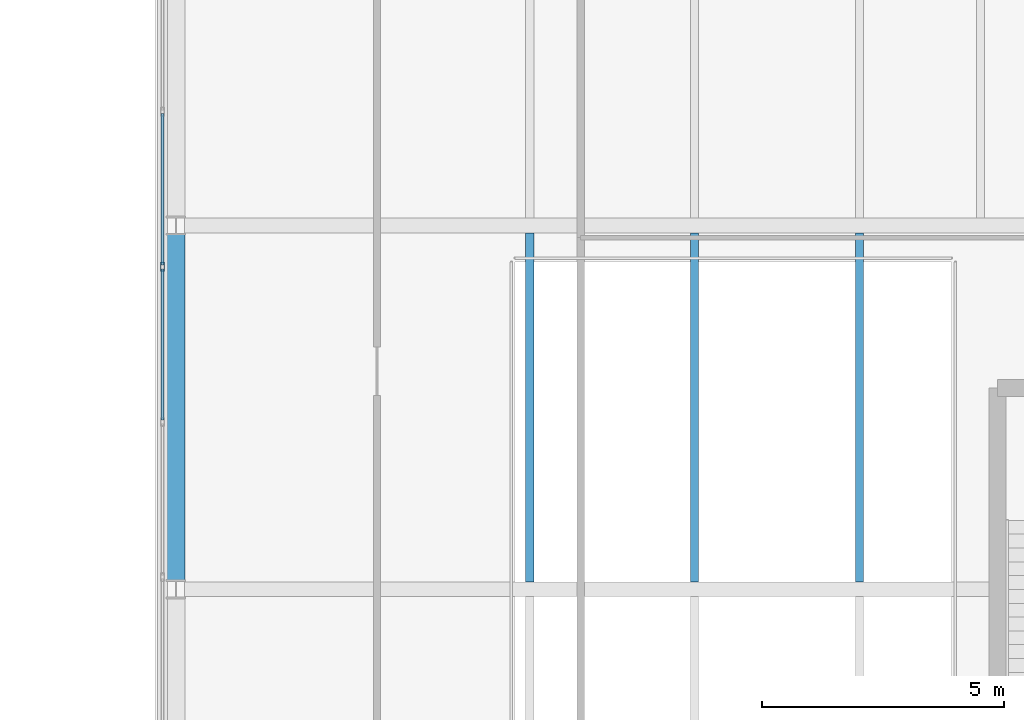
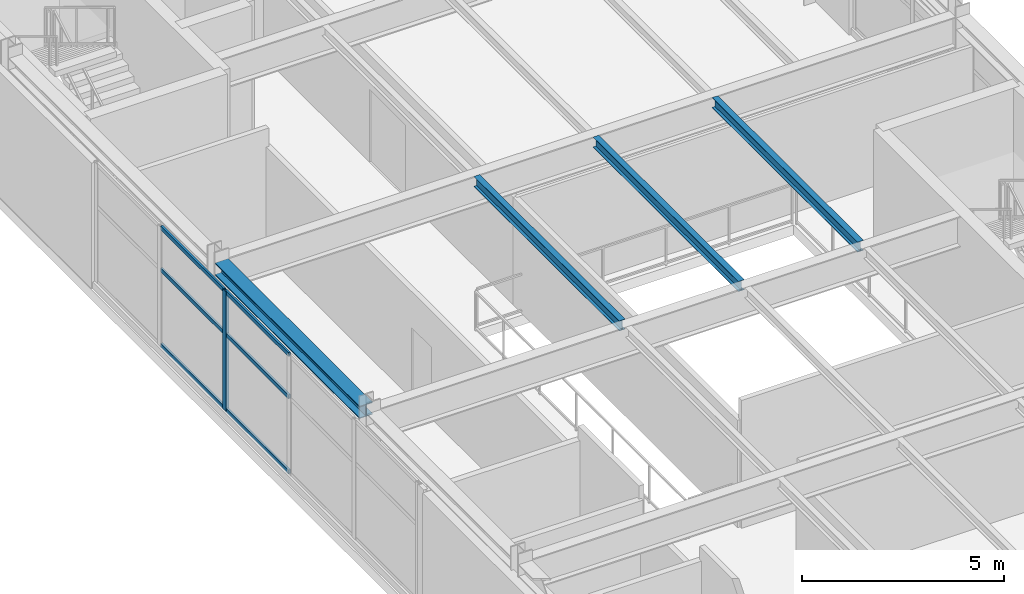
# One storey, part 5 of 16: 7 members, 4 beams, 1 element without a shape of its own.
"""IFC4 building model written with IfcOpenShell, lengths in metres."""

from ifc_helpers import new_model, si_unit, direction, frame, origin, origin_2d, place, context, subcontext, project, spatial, hollow_rectangle, i_section, extrude, material, layer, layer_set, material_profile, profile_set, type_object, element, aggregate, save


model = new_model("IFC4")

# Units and contexts
model_context = context("Model", 3, precision=1e-05, world=origin(), true_north=direction((0.0, 1.0)))
body_context = subcontext(model_context, "Body", "Model", "MODEL_VIEW")
ifc_project = project(units=[si_unit("LENGTHUNIT", "METRE"), si_unit("AREAUNIT", "SQUARE_METRE"), si_unit("VOLUMEUNIT", "CUBIC_METRE"), si_unit("PLANEANGLEUNIT", "RADIAN"), si_unit("MASSUNIT", "GRAM", prefix="KILO")], contexts=[model_context])

# Site, building, storey
site_placement = place(None, origin())
site = spatial("IfcSite", under=ifc_project, at=site_placement, CompositionType="ELEMENT")
building_placement = place(site_placement, origin())
building = spatial("IfcBuilding", under=site, at=building_placement, Name="Mersakhor Tower and Convention Hall", CompositionType="ELEMENT")
storey_placement = place(building_placement, frame((0.0, 0.0, 5.10009765625)))
storey = spatial("IfcBuildingStorey", under=building, at=storey_placement, Name="L01", CompositionType="ELEMENT", Elevation=5.10009765625)

# Beams
ifc_material_1 = material(Name="Steel S355", Category="steel")
ifc_material_profile_1 = material_profile(ifc_material_1, i_section(OverallWidth=0.165771484375, OverallDepth=0.306640625, WebThickness=0.006591796875, FlangeThickness=0.01171875, at=origin_2d()), Name="UB 305x165x46")
ifc_profile_set_1 = profile_set([ifc_material_profile_1], Name="Steel S355")
beam_type_1 = type_object("IfcBeamType", Name="BM-JST-305", PredefinedType="JOIST", material=ifc_profile_set_1)
for number, where, z_axis, x_axis, name in (
    (1, (62.800048828125, 25.90380859375, 4.026611328125), (0.0, 1.0, 0.0), (-1.0, 0.0, 0.0), "Convention L01 Composite Floor Joist CJ-4-62"),
    (2, (66.199951171875, 25.90380859375, 4.026611328125), (0.0, 1.0, 0.0), (-1.0, 0.0, 0.0), "Convention L01 Composite Floor Joist CJ-4-66"),
    (3, (69.60009765625, 25.90380859375, 4.026611328125), (0.0, 1.0, 0.0), (-1.0, 0.0, 0.0), "Convention L01 Composite Floor Joist CJ-4-69"),
):
    element("IfcBeam", number, at=place(storey_placement, frame(where, z_axis=z_axis, x_axis=x_axis)), inside=storey, type_object=beam_type_1, Name=name, PredefinedType="JOIST", context=body_context, shape_type="SweptSolid", body=[
        extrude(i_section(OverallWidth=0.165771484375, OverallDepth=0.306640625, WebThickness=0.006591796875, FlangeThickness=0.01171875, at=origin_2d()), origin(), (0.0, 0.0, 1.0), 7.1923828125),
    ])
ifc_material_2 = material(Name="Steel S355", Category="steel")
ifc_material_profile_2 = material_profile(ifc_material_2, i_section(OverallWidth=0.374755859375, OverallDepth=0.37451171875, WebThickness=0.0166015625, FlangeThickness=0.027099609375, at=origin_2d()), Name="UC 356x368x202")
ifc_profile_set_2 = profile_set([ifc_material_profile_2], Name="Steel S355")
beam_type_2 = type_object("IfcBeamType", Name="BM-SPD-UC356", PredefinedType="SPANDREL", material=ifc_profile_set_2)
beam_placement = place(storey_placement, frame((55.5, 25.929931640625, 3.992919921875), z_axis=(0.0, 1.0, 0.0), x_axis=(-1.0, 0.0, 0.0)))
element("IfcBeam", 4, at=beam_placement, inside=storey, type_object=beam_type_2, Name="Convention L01 Edge Spandrel W4", PredefinedType="SPANDREL", context=body_context, shape_type="SweptSolid", body=[
    extrude(i_section(OverallWidth=0.374755859375, OverallDepth=0.37451171875, WebThickness=0.0166015625, FlangeThickness=0.027099609375, at=origin_2d()), origin(), (0.0, 0.0, 1.0), 7.14013671875),
])

# Curtain wall, members
ifc_material_3 = material(Name="Dark solar low-E aluminium curtain wall", Category="aluminium")
ifc_layer = layer(ifc_material_3, 0.219970703125)
ifc_layer_set = layer_set([ifc_layer], Name="Dark solar low-E aluminium curtain wall")
curtain_wall_type = type_object("IfcCurtainWallType", Name="CW-SYS-07", PredefinedType="USERDEFINED", material=ifc_layer_set)
curtain_wall_placement = place(storey_placement, origin())
curtain_wall = element("IfcCurtainWall", 5, at=curtain_wall_placement, inside=storey, type_object=curtain_wall_type, Name="Convention L01 West Curtain Wall", ObjectType="CURTAIN WALL", PredefinedType="USERDEFINED")
ifc_material_4 = material(Name="Anodised aluminium EN AW-6063 T6", Category="aluminium")
ifc_material_profile_3 = material_profile(ifc_material_4, hollow_rectangle(XDim=0.080078125, YDim=0.179931640625, WallThickness=0.008056640625, at=origin_2d()), Name="RHS 180x80x8")
ifc_profile_set_3 = profile_set([ifc_material_profile_3], Name="Anodised aluminium EN AW-6063 T6")
member_type_1 = type_object("IfcMemberType", Name="CWM-180x80", PredefinedType="MULLION", material=ifc_profile_set_3)
member_1_placement = place(storey_placement, frame((55.22509765625, 32.39990234375, 0.199951171875), z_axis=(0.0, 0.0, 1.0), x_axis=(-1.0, 0.0, 0.0)))
member_1 = element("IfcMember", 6, at=member_1_placement, type_object=member_type_1, Name="CW-07 mullion 4", PredefinedType="MULLION", context=body_context, shape_type="SweptSolid", body=[
    extrude(hollow_rectangle(XDim=0.080078125, YDim=0.179931640625, WallThickness=0.008056640625, at=origin_2d()), origin(), (0.0, 0.0, 1.0), 3.599853515625),
])
ifc_material_5 = material(Name="Anodised aluminium EN AW-6063 T6", Category="aluminium")
ifc_material_profile_4 = material_profile(ifc_material_5, hollow_rectangle(XDim=0.06005859375, YDim=0.1201171875, WallThickness=0.0048828125, at=origin_2d()), Name="RHS 120x60x5")
ifc_profile_set_4 = profile_set([ifc_material_profile_4], Name="Anodised aluminium EN AW-6063 T6")
member_type_2 = type_object("IfcMemberType", Name="CWT-120x60", PredefinedType="USERDEFINED", material=ifc_profile_set_4)
member_2_placement = place(storey_placement, frame((55.22509765625, 29.239990234375, 0.22998046875), z_axis=(0.0, 1.0, 0.0), x_axis=(-1.0, 0.0, 0.0)))
member_2 = element("IfcMember", 7, at=member_2_placement, type_object=member_type_2, Name="CW-07 transom 3.1", ObjectType="TRANSOM", PredefinedType="USERDEFINED", context=body_context, shape_type="SweptSolid", body=[
    extrude(hollow_rectangle(XDim=0.06005859375, YDim=0.1201171875, WallThickness=0.0048828125, at=origin_2d()), origin(), (0.0, 0.0, 1.0), 3.1201171875),
])
member_3_placement = place(storey_placement, frame((55.22509765625, 29.239990234375, 2.5), z_axis=(0.0, 1.0, 0.0), x_axis=(-1.0, 0.0, 0.0)))
member_3 = element("IfcMember", 8, at=member_3_placement, type_object=member_type_2, Name="CW-07 transom 3.2", ObjectType="TRANSOM", PredefinedType="USERDEFINED", context=body_context, shape_type="SweptSolid", body=[
    extrude(hollow_rectangle(XDim=0.06005859375, YDim=0.1201171875, WallThickness=0.0048828125, at=origin_2d()), origin(), (0.0, 0.0, 1.0), 3.1201171875),
])
member_4_placement = place(storey_placement, frame((55.22509765625, 29.239990234375, 3.77001953125), z_axis=(0.0, 1.0, 0.0), x_axis=(-1.0, 0.0, 0.0)))
member_4 = element("IfcMember", 9, at=member_4_placement, type_object=member_type_2, Name="CW-07 transom 3.3", ObjectType="TRANSOM", PredefinedType="USERDEFINED", context=body_context, shape_type="SweptSolid", body=[
    extrude(hollow_rectangle(XDim=0.06005859375, YDim=0.1201171875, WallThickness=0.0048828125, at=origin_2d()), origin(), (0.0, 0.0, 1.0), 3.1201171875),
])
member_5_placement = place(storey_placement, frame((55.22509765625, 32.43994140625, 0.22998046875), z_axis=(0.0, 1.0, 0.0), x_axis=(-1.0, 0.0, 0.0)))
member_5 = element("IfcMember", 10, at=member_5_placement, type_object=member_type_2, Name="CW-07 transom 4.1", ObjectType="TRANSOM", PredefinedType="USERDEFINED", context=body_context, shape_type="SweptSolid", body=[
    extrude(hollow_rectangle(XDim=0.06005859375, YDim=0.1201171875, WallThickness=0.0048828125, at=origin_2d()), origin(), (0.0, 0.0, 1.0), 3.1201171875),
])
member_6_placement = place(storey_placement, frame((55.22509765625, 32.43994140625, 2.5), z_axis=(0.0, 1.0, 0.0), x_axis=(-1.0, 0.0, 0.0)))
member_6 = element("IfcMember", 11, at=member_6_placement, type_object=member_type_2, Name="CW-07 transom 4.2", ObjectType="TRANSOM", PredefinedType="USERDEFINED", context=body_context, shape_type="SweptSolid", body=[
    extrude(hollow_rectangle(XDim=0.06005859375, YDim=0.1201171875, WallThickness=0.0048828125, at=origin_2d()), origin(), (0.0, 0.0, 1.0), 3.1201171875),
])
member_7_placement = place(storey_placement, frame((55.22509765625, 32.43994140625, 3.77001953125), z_axis=(0.0, 1.0, 0.0), x_axis=(-1.0, 0.0, 0.0)))
member_7 = element("IfcMember", 12, at=member_7_placement, type_object=member_type_2, Name="CW-07 transom 4.3", ObjectType="TRANSOM", PredefinedType="USERDEFINED", context=body_context, shape_type="SweptSolid", body=[
    extrude(hollow_rectangle(XDim=0.06005859375, YDim=0.1201171875, WallThickness=0.0048828125, at=origin_2d()), origin(), (0.0, 0.0, 1.0), 3.1201171875),
])
aggregate(curtain_wall, [member_1, member_2, member_3, member_4, member_5, member_6, member_7])

save(model, "model.ifc")
